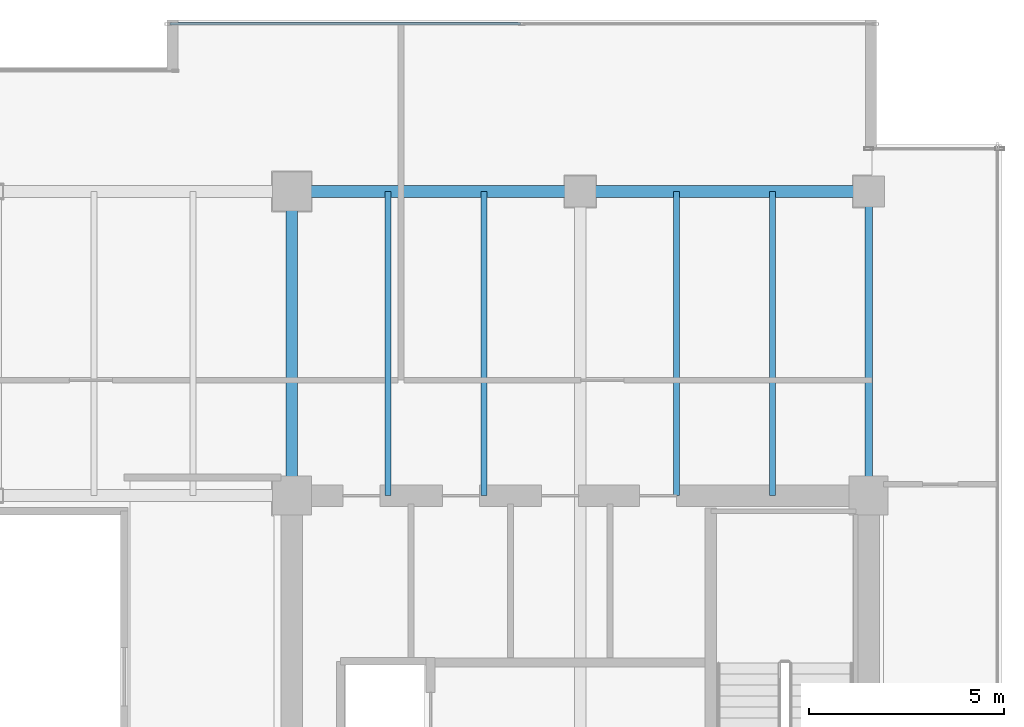
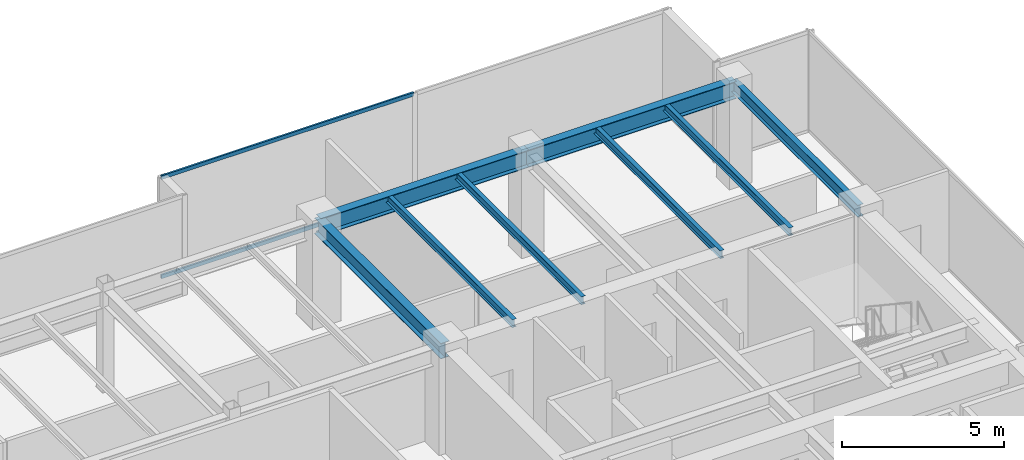
# One storey, part 20 of 35: 8 beams, 2 members, 1 element without a shape of its own.
"""IFC4 building model written with IfcOpenShell, lengths in metres."""

from ifc_helpers import new_model, si_unit, direction, frame, origin, origin_2d, place, context, subcontext, project, spatial, hollow_rectangle, i_section, extrude, source, transform, mapped, material, layer, layer_set, material_profile, profile_set, type_object, type_shapes, element, aggregate, save


model = new_model("IFC4")

# Units and contexts
model_context = context("Model", 3, precision=1e-05, world=origin(), true_north=direction((0.0, 1.0)))
body_context = subcontext(model_context, "Body", "Model", "MODEL_VIEW")
ifc_project = project(units=[si_unit("LENGTHUNIT", "METRE"), si_unit("AREAUNIT", "SQUARE_METRE"), si_unit("VOLUMEUNIT", "CUBIC_METRE"), si_unit("PLANEANGLEUNIT", "RADIAN"), si_unit("MASSUNIT", "GRAM", prefix="KILO")], contexts=[model_context])

# Site, building, storey
site_placement = place(None, origin())
site = spatial("IfcSite", under=ifc_project, at=site_placement, CompositionType="ELEMENT")
building_placement = place(site_placement, origin())
building = spatial("IfcBuilding", under=site, at=building_placement, Name="Haelvirn Gate Laboratories", CompositionType="ELEMENT")
storey_placement = place(building_placement, frame((0.0, 0.0, 226.0)))
storey = spatial("IfcBuildingStorey", under=building, at=storey_placement, Name="L54", CompositionType="ELEMENT", Elevation=226.0)

# Beams
ifc_material_1 = material(Name="Steel SM355", Category="steel")
ifc_material_profile_1 = material_profile(ifc_material_1, i_section(OverallWidth=0.14990234375, OverallDepth=0.300048828125, WebThickness=0.006591796875, FlangeThickness=0.009033203125, at=origin_2d()), Name="H-300x150x6.5x9")
ifc_profile_set_1 = profile_set([ifc_material_profile_1], Name="Steel SM355")
beam_type_1 = type_object("IfcBeamType", Name="BM-J-300", PredefinedType="JOIST", material=ifc_profile_set_1)
shared_shape_1 = source(origin(), body_context, "Body", "SweptSolid", [
    extrude(i_section(OverallWidth=0.14990234375, OverallDepth=0.300048828125, WebThickness=0.006591796875, FlangeThickness=0.009033203125, at=origin_2d()), origin(), (0.0, 0.0, 1.0), 7.800048828125),
])
type_shapes(beam_type_1, [shared_shape_1])
for number, where, z_axis, x_axis, name in (
    (1, (55.070068359375, 33.800048828125, 3.64990234375), (0.0, 1.0, 0.0), (-1.0, 0.0, 0.0), "L54 Composite Lab Joist North X55.07"),
    (2, (57.530029296875, 33.800048828125, 3.64990234375), (0.0, 1.0, 0.0), (-1.0, 0.0, 0.0), "L54 Composite Lab Joist North X57.53"),
    (3, (62.469970703125, 33.800048828125, 3.64990234375), (0.0, 1.0, 0.0), (-1.0, 0.0, 0.0), "L54 Composite Lab Joist North X62.47"),
    (4, (64.929931640625, 33.800048828125, 3.64990234375), (0.0, 1.0, 0.0), (-1.0, 0.0, 0.0), "L54 Composite Lab Joist North X64.93"),
):
    element("IfcBeam", number, at=place(storey_placement, frame(where, z_axis=z_axis, x_axis=x_axis)), inside=storey, type_object=beam_type_1, Name=name, PredefinedType="JOIST", context=body_context, shape_type="MappedRepresentation", body=[
        mapped(shared_shape_1, transform((0.0, 0.0, 0.0), scale=1.0)),
    ])
ifc_material_profile_2 = material_profile(ifc_material_1, i_section(OverallWidth=0.300048828125, OverallDepth=0.587890625, WebThickness=0.011962890625, FlangeThickness=0.02001953125, at=origin_2d()), Name="H-588x300x12x20")
ifc_profile_set_2 = profile_set([ifc_material_profile_2], Name="Steel SM355")
beam_type_2 = type_object("IfcBeamType", Name="BM-G-588", PredefinedType="BEAM", material=ifc_profile_set_2)
shared_shape_2 = source(origin(), body_context, "Body", "SweptSolid", [
    extrude(i_section(OverallWidth=0.300048828125, OverallDepth=0.587890625, WebThickness=0.011962890625, FlangeThickness=0.02001953125, at=origin_2d()), origin(), (0.0, 0.0, 1.0), 7.800048828125),
])
type_shapes(beam_type_2, [shared_shape_2])
beam_1_placement = place(storey_placement, frame((52.60009765625, 33.800048828125, 3.506103515625), z_axis=(0.0, 1.0, 0.0), x_axis=(-1.0, 0.0, 0.0)))
element("IfcBeam", 5, at=beam_1_placement, inside=storey, type_object=beam_type_2, Name="L54 Frame Girder X52.6 (33.8-41.6)", PredefinedType="BEAM", context=body_context, shape_type="MappedRepresentation", body=[
    mapped(shared_shape_2, transform((0.0, 0.0, 0.0), scale=1.0)),
])
ifc_material_profile_3 = material_profile(ifc_material_1, i_section(OverallWidth=0.300048828125, OverallDepth=0.64990234375, WebThickness=0.012939453125, FlangeThickness=0.02197265625, at=origin_2d()), Name="H-650x300x13x22")
ifc_profile_set_3 = profile_set([ifc_material_profile_3], Name="Steel SM355")
beam_type_3 = type_object("IfcBeamType", Name="BM-G-650", PredefinedType="BEAM", material=ifc_profile_set_3)
shared_shape_3 = source(origin(), body_context, "Body", "SweptSolid", [
    extrude(i_section(OverallWidth=0.300048828125, OverallDepth=0.64990234375, WebThickness=0.012939453125, FlangeThickness=0.02197265625, at=origin_2d()), origin(), (0.0, 0.0, 1.0), 7.39990234375),
])
type_shapes(beam_type_3, [shared_shape_3])
for number, where, z_axis, x_axis, name in (
    (6, (52.60009765625, 41.60009765625, 3.47509765625), (1.0, 0.0, 0.0), (0.0, 1.0, 0.0), "L54 Primary Girder Y41.6 (52.6-60.0)"),
    (7, (60.0, 41.60009765625, 3.47509765625), (1.0, 0.0, 0.0), (0.0, 1.0, 0.0), "L54 Primary Girder Y41.6 (60.0-67.4)"),
):
    element("IfcBeam", number, at=place(storey_placement, frame(where, z_axis=z_axis, x_axis=x_axis)), inside=storey, type_object=beam_type_3, Name=name, PredefinedType="BEAM", context=body_context, shape_type="MappedRepresentation", body=[
        mapped(shared_shape_3, transform((0.0, 0.0, 0.0), scale=1.0)),
    ])
ifc_material_profile_4 = material_profile(ifc_material_1, i_section(OverallWidth=0.199951171875, OverallDepth=0.449951171875, WebThickness=0.009033203125, FlangeThickness=0.013916015625, at=origin_2d()), Name="H-450x200x9x14")
ifc_profile_set_4 = profile_set([ifc_material_profile_4], Name="Steel SM355")
beam_type_4 = type_object("IfcBeamType", Name="BM-SP-450", PredefinedType="SPANDREL", material=ifc_profile_set_4)
shared_shape_4 = source(origin(), body_context, "Body", "SweptSolid", [
    extrude(i_section(OverallWidth=0.199951171875, OverallDepth=0.449951171875, WebThickness=0.009033203125, FlangeThickness=0.013916015625, at=origin_2d()), origin(), (0.0, 0.0, 1.0), 7.800048828125),
])
type_shapes(beam_type_4, [shared_shape_4])
beam_2_placement = place(storey_placement, frame((67.39990234375, 33.800048828125, 3.574951171875), z_axis=(0.0, 1.0, 0.0), x_axis=(-1.0, 0.0, 0.0)))
element("IfcBeam", 8, at=beam_2_placement, inside=storey, type_object=beam_type_4, Name="L54 Perimeter Spandrel X67.4 (33.8-41.6)", PredefinedType="SPANDREL", context=body_context, shape_type="MappedRepresentation", body=[
    mapped(shared_shape_4, transform((0.0, 0.0, 0.0), scale=1.0)),
])

# Curtain wall, members
ifc_material_2 = material(Name="Anodised bronze unitised aluminium & triple low-E glass", Category="aluminium")
ifc_layer = layer(ifc_material_2, 0.176025390625, Name="CW-SYS-4")
ifc_layer_set = layer_set([ifc_layer], Name="Anodised bronze unitised aluminium & triple low-E glass")
curtain_wall_type = type_object("IfcCurtainWallType", Name="CW-SYS-4", PredefinedType="NOTDEFINED", material=ifc_layer_set)
curtain_wall_placement = place(storey_placement, origin())
curtain_wall = element("IfcCurtainWall", 9, at=curtain_wall_placement, inside=storey, type_object=curtain_wall_type, Name="L54 Unitised Curtain Wall CW-L54-P0-E10-1", PredefinedType="NOTDEFINED")
ifc_material_3 = material(Name="Extruded aluminium 6063-T6 (anodised bronze)", Category="aluminium")
ifc_material_profile_5 = material_profile(ifc_material_3, hollow_rectangle(XDim=0.06494140625, YDim=0.139892578125, WallThickness=0.00390625, at=origin_2d()), Name="CWT-140x65x4")
ifc_profile_set_5 = profile_set([ifc_material_profile_5], Name="Extruded aluminium 6063-T6 (anodised bronze)")
member_type = type_object("IfcMemberType", Name="CWT-T140", PredefinedType="USERDEFINED", material=ifc_profile_set_5)
shared_shape_5 = source(origin(), body_context, "Body", "SweptSolid", [
    extrude(hollow_rectangle(XDim=0.06494140625, YDim=0.139892578125, WallThickness=0.00390625, at=origin_2d()), origin(), (0.0, 0.0, 1.0), 8.9951171875),
])
type_shapes(member_type, [shared_shape_5])
member_1_placement = place(storey_placement, frame((49.469970703125, 45.89990234375, 0.032470703125), z_axis=(1.0, 0.0, 0.0), x_axis=(0.0, 1.0, 0.0)))
member_1 = element("IfcMember", 10, at=member_1_placement, type_object=member_type, Name="CW4 transom 1.1", ObjectType="TRANSOM", PredefinedType="USERDEFINED", context=body_context, shape_type="MappedRepresentation", body=[
    mapped(shared_shape_5, transform((0.0, 0.0, 0.0), scale=1.0)),
])
member_2_placement = place(storey_placement, frame((49.469970703125, 45.89990234375, 3.767578125), z_axis=(1.0, 0.0, 0.0), x_axis=(0.0, 1.0, 0.0)))
member_2 = element("IfcMember", 11, at=member_2_placement, type_object=member_type, Name="CW4 transom 1.2", ObjectType="TRANSOM", PredefinedType="USERDEFINED", context=body_context, shape_type="MappedRepresentation", body=[
    mapped(shared_shape_5, transform((0.0, 0.0, 0.0), scale=1.0)),
])
aggregate(curtain_wall, [member_1, member_2])

save(model, "model.ifc")
